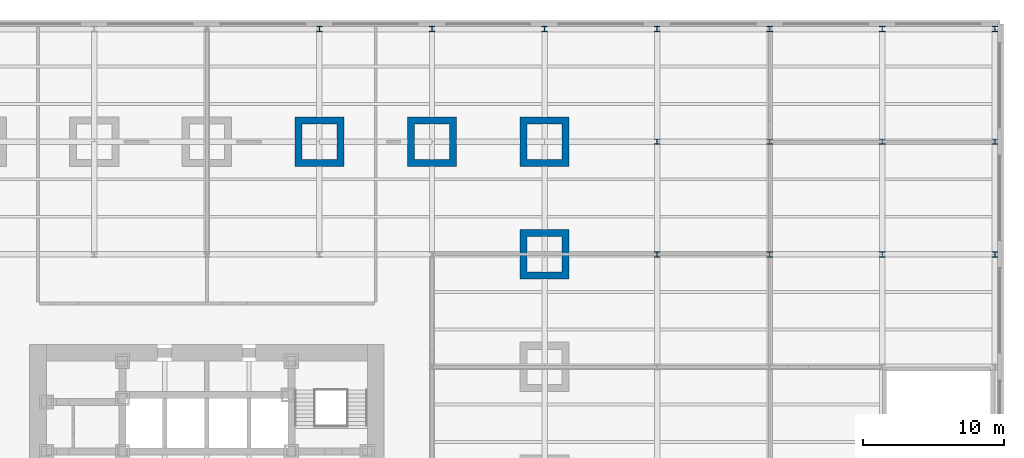
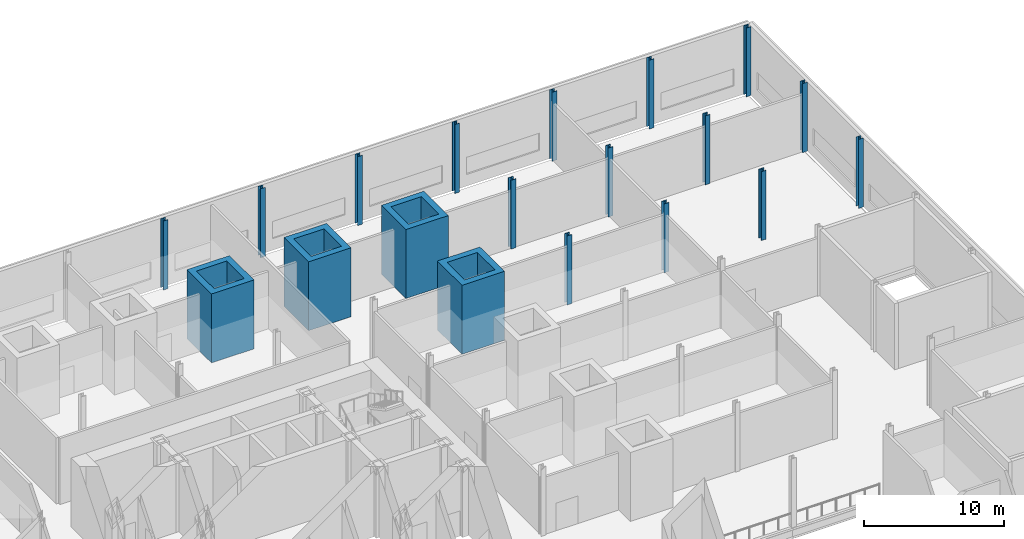
# One storey, part 7 of 21: 19 columns.
"""IFC4 building model written with IfcOpenShell, lengths in metres."""

from ifc_helpers import new_model, si_unit, direction, frame, origin, origin_2d, place, context, subcontext, project, spatial, hollow_rectangle, i_section, extrude, material, material_profile, profile_set, type_object, element, save


model = new_model("IFC4")

# Units and contexts
model_context = context("Model", 3, precision=1e-05, world=origin(), true_north=direction((0.0, 1.0)))
body_context = subcontext(model_context, "Body", "Model", "MODEL_VIEW")
ifc_project = project(units=[si_unit("LENGTHUNIT", "METRE"), si_unit("AREAUNIT", "SQUARE_METRE"), si_unit("VOLUMEUNIT", "CUBIC_METRE"), si_unit("PLANEANGLEUNIT", "RADIAN"), si_unit("MASSUNIT", "GRAM", prefix="KILO")], contexts=[model_context])

# Site, building, storey
site_placement = place(None, origin())
site = spatial("IfcSite", under=ifc_project, at=site_placement, CompositionType="ELEMENT")
building_placement = place(site_placement, origin())
building = spatial("IfcBuilding", under=site, at=building_placement, Name="Daluyong Arena Tower", CompositionType="ELEMENT")
storey_placement = place(building_placement, frame((0.0, 0.0, 19.89990234375)))
storey = spatial("IfcBuildingStorey", under=building, at=storey_placement, Name="L04", CompositionType="ELEMENT", Elevation=19.89990234375)

# Columns
ifc_material_1 = material(Name="Steel ASTM A992 Grade 50", Category="steel")
ifc_material_profile_1 = material_profile(ifc_material_1, i_section(OverallWidth=0.398681640625, OverallDepth=0.385986328125, WebThickness=0.02099609375, FlangeThickness=0.033203125, at=origin_2d()))
ifc_profile_set_1 = profile_set([ifc_material_profile_1], Name="Steel ASTM A992 Grade 50")
column_type_1 = type_object("IfcColumnType", Name="Podium column W14X176", PredefinedType="COLUMN", material=ifc_profile_set_1)
for number, where, z_axis, x_axis, name in (
    (1, (64.0, 112.0, 0.0), (0.0, 0.0, 1.0), (1.0, 0.0, 0.0), "podium column PC3"),
    (2, (72.0, 112.0, 0.0), (0.0, 0.0, 1.0), (1.0, 0.0, 0.0), "podium column PC3"),
    (3, (80.0, 112.0, 0.0), (0.0, 0.0, 1.0), (1.0, 0.0, 0.0), "podium column PC3"),
    (4, (88.0, 96.0, 0.0), (0.0, 0.0, 1.0), (1.0, 0.0, 0.0), "podium column PC3"),
    (5, (88.0, 104.0, 0.0), (0.0, 0.0, 1.0), (1.0, 0.0, 0.0), "podium column PC3"),
    (6, (88.0, 112.0, 0.0), (0.0, 0.0, 1.0), (1.0, 0.0, 0.0), "podium column PC3"),
    (7, (96.0, 96.0, 0.0), (0.0, 0.0, 1.0), (1.0, 0.0, 0.0), "podium column PC3"),
    (8, (96.0, 104.0, 0.0), (0.0, 0.0, 1.0), (1.0, 0.0, 0.0), "podium column PC3"),
    (9, (96.0, 112.0, 0.0), (0.0, 0.0, 1.0), (1.0, 0.0, 0.0), "podium column PC3"),
    (10, (104.0, 96.0, 0.0), (0.0, 0.0, 1.0), (1.0, 0.0, 0.0), "podium column PC3"),
    (11, (104.0, 104.0, 0.0), (0.0, 0.0, 1.0), (1.0, 0.0, 0.0), "podium column PC3"),
    (12, (104.0, 112.0, 0.0), (0.0, 0.0, 1.0), (1.0, 0.0, 0.0), "podium column PC3"),
    (13, (112.0, 96.0, 0.0), (0.0, 0.0, 1.0), (1.0, 0.0, 0.0), "podium column PC3"),
    (14, (112.0, 104.0, 0.0), (0.0, 0.0, 1.0), (1.0, 0.0, 0.0), "podium column PC3"),
    (15, (112.0, 112.0, 0.0), (0.0, 0.0, 1.0), (1.0, 0.0, 0.0), "podium column PC3"),
):
    element("IfcColumn", number, at=place(storey_placement, frame(where, z_axis=z_axis, x_axis=x_axis)), inside=storey, type_object=column_type_1, Name=name, PredefinedType="COLUMN", context=body_context, shape_type="SweptSolid", body=[
        extrude(i_section(OverallWidth=0.398681640625, OverallDepth=0.385986328125, WebThickness=0.02099609375, FlangeThickness=0.033203125, at=origin_2d()), origin(), (0.0, 0.0, 1.0), 6.0),
    ])
ifc_material_2 = material(Name="Steel ASTM A36", Category="steel")
ifc_material_profile_2 = material_profile(ifc_material_2, hollow_rectangle(XDim=3.5, YDim=3.5, WallThickness=0.5, at=origin_2d()))
ifc_profile_set_2 = profile_set([ifc_material_profile_2], Name="Steel ASTM A36")
column_type_2 = type_object("IfcColumnType", Name="Podium megacolumn BX3500X500", PredefinedType="COLUMN", material=ifc_profile_set_2)
for number, where, z_axis, x_axis, name in (
    (16, (64.0, 104.0, 0.0), (0.0, 0.0, 1.0), (1.0, 0.0, 0.0), "podium megacolumn MC1"),
    (17, (72.0, 104.0, 0.0), (0.0, 0.0, 1.0), (1.0, 0.0, 0.0), "podium megacolumn MC1"),
    (18, (80.0, 96.0, 0.0), (0.0, 0.0, 1.0), (1.0, 0.0, 0.0), "podium megacolumn MC1"),
    (19, (80.0, 104.0, 0.0), (0.0, 0.0, 1.0), (1.0, 0.0, 0.0), "podium megacolumn MC1"),
):
    element("IfcColumn", number, at=place(storey_placement, frame(where, z_axis=z_axis, x_axis=x_axis)), inside=storey, type_object=column_type_2, Name=name, PredefinedType="COLUMN", context=body_context, shape_type="SweptSolid", body=[
        extrude(hollow_rectangle(XDim=3.5, YDim=3.5, WallThickness=0.5, at=origin_2d()), origin(), (0.0, 0.0, 1.0), 6.0),
    ])

save(model, "model.ifc")
